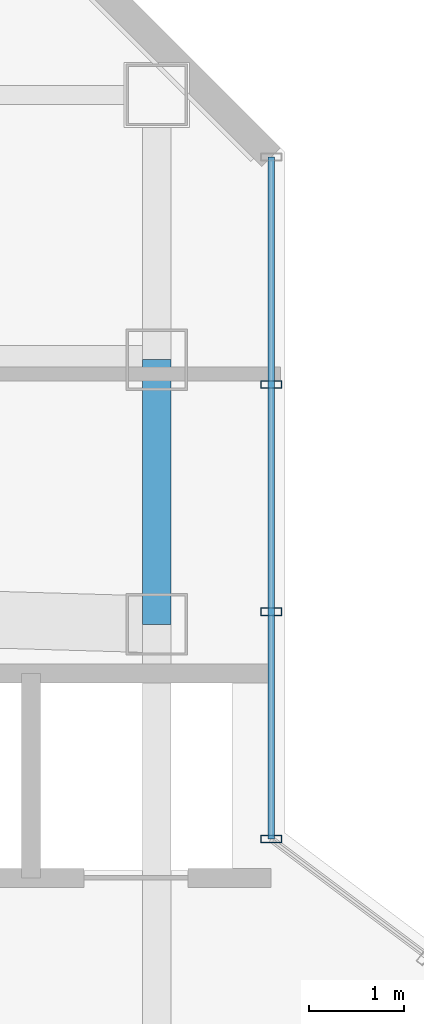
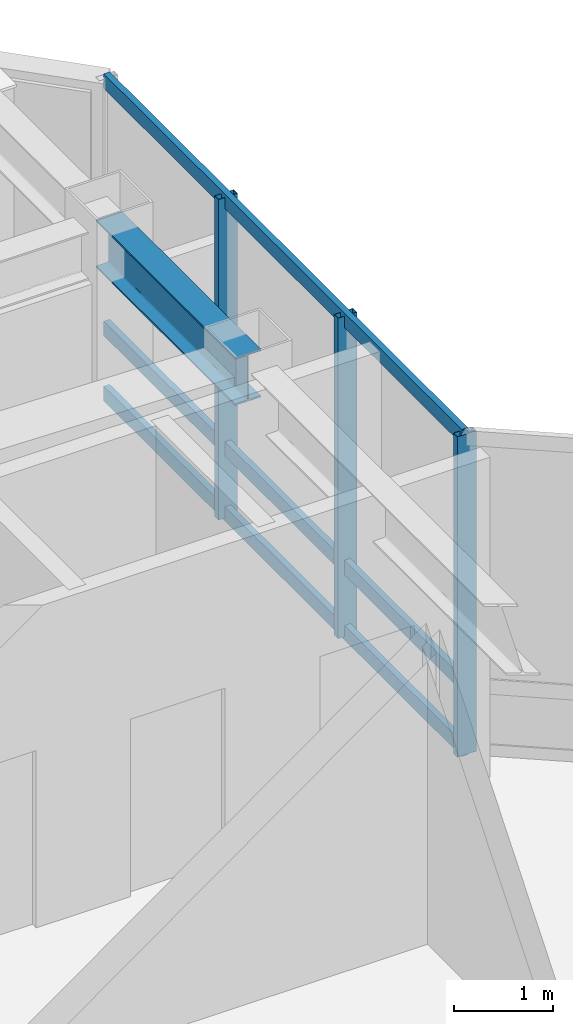
# One storey, part 12 of 22: 6 members, 1 beam, 1 element without a shape of its own.
"""IFC4 building model written with IfcOpenShell, lengths in metres."""

import ifcopenshell
import ifcopenshell.guid

model = None  # the IFC model being written
_history = None  # IfcOwnerHistory: only IFC2X3 demands one
_inside = {}  # id of a spatial element -> (the spatial element, [elements in it])
_under = {}  # id of a project, library or spatial element -> (it, [spatial elements below it])
_declared = {}  # id of a project -> (the project, [libraries it declares])
_typed = {}  # id of a type object -> (the type object, [elements of that type])
_made_of = {}  # id of a material, layer set ... -> (it, [elements and type objects made of it])


def new_model(schema):
    """Start an empty IFC model of exactly this schema.

    Asked for "IFC4X3", IfcOpenShell would pick the latest addendum, in which some entities
    have other attributes; the version numbers below select the first issue.
    IFC2X3 requires an IfcOwnerHistory on every rooted entity: one is made here for all.
    """
    global model, _history
    if schema == "IFC4X3":
        model = ifcopenshell.file(schema_version=(4, 3, 0, 0))
    else:
        model = ifcopenshell.file(schema=schema)
    _inside.clear()
    _under.clear()
    _declared.clear()
    _typed.clear()
    _made_of.clear()
    _history = None
    if model.schema == "IFC2X3":
        org = make("IfcOrganization", Name="unknown")
        user = make(
            "IfcPersonAndOrganization",
            ThePerson=make("IfcPerson", FamilyName="unknown"),
            TheOrganization=org,
        )
        app = make(
            "IfcApplication",
            ApplicationDeveloper=org,
            Version="unknown",
            ApplicationFullName="unknown",
            ApplicationIdentifier="unknown",
        )
        _history = make(
            "IfcOwnerHistory",
            OwningUser=user,
            OwningApplication=app,
            ChangeAction="ADDED",
            CreationDate=0,
        )
    return model


def make(cls, **values):
    """One entity of the class cls with the attributes given. An attribute that is None is left unset."""
    return model.create_entity(
        cls, **{name: value for name, value in values.items() if value is not None}
    )


def rooted(cls, **values):
    """An entity with a GlobalId (a new one), such as an element, a storey or a relation."""
    return make(cls, GlobalId=ifcopenshell.guid.new(), OwnerHistory=_history, **values)


def si_unit(unit_type, name, prefix=None):
    """IfcSIUnit, for example si_unit("LENGTHUNIT", "METRE", prefix="MILLI")."""
    return make("IfcSIUnit", UnitType=unit_type, Prefix=prefix, Name=name)


def assignment(units):
    """IfcUnitAssignment: the units of a project."""
    return None if units is None else make("IfcUnitAssignment", Units=units)


def point(xyz):
    """IfcCartesianPoint."""
    return None if xyz is None else make("IfcCartesianPoint", Coordinates=xyz)


def direction(xyz):
    """IfcDirection."""
    return None if xyz is None else make("IfcDirection", DirectionRatios=xyz)


def frame(location, z_axis=None, x_axis=None):
    """IfcAxis2Placement3D, a coordinate frame: its origin and axes. An axis left out is left unset."""
    return make(
        "IfcAxis2Placement3D",
        Location=point(location),
        Axis=direction(z_axis),
        RefDirection=direction(x_axis),
    )


def frame_2d(location, x_axis=None):
    """IfcAxis2Placement2D, a coordinate frame in the plane: its origin and x axis."""
    return make(
        "IfcAxis2Placement2D", Location=point(location), RefDirection=direction(x_axis)
    )


def origin():
    """The frame at (0, 0, 0) with its axes left unset."""
    return frame((0.0, 0.0, 0.0))


def origin_2d():
    """The frame at (0, 0) in the plane with its x axis left unset."""
    return frame_2d((0.0, 0.0))


def place(relative_to, where):
    """IfcLocalPlacement: puts the frame where relative to a parent placement (None: the world)."""
    return make(
        "IfcLocalPlacement", PlacementRelTo=relative_to, RelativePlacement=where
    )


def context(
    kind, dimensions, precision=None, world=None, true_north=None, identifier=None
):
    """IfcGeometricRepresentationContext, for example the 3D "Model" context."""
    return make(
        "IfcGeometricRepresentationContext",
        ContextIdentifier=identifier,
        ContextType=kind,
        CoordinateSpaceDimension=dimensions,
        Precision=precision,
        WorldCoordinateSystem=world,
        TrueNorth=true_north,
    )


def subcontext(parent, identifier, kind, view, scale=None):
    """IfcGeometricRepresentationSubContext, for example "Body" below "Model"."""
    return make(
        "IfcGeometricRepresentationSubContext",
        ContextIdentifier=identifier,
        ContextType=kind,
        ParentContext=parent,
        TargetScale=scale,
        TargetView=view,
    )


def project(units=None, contexts=None):
    """IfcProject with its units and contexts."""
    return rooted(
        "IfcProject",
        Name="project",
        RepresentationContexts=contexts,
        UnitsInContext=assignment(units),
    )


def spatial(cls, under=None, at=None, **own):
    """A site, building, storey or space (cls), placed at a placement, below another one or the project."""
    s = rooted(cls, ObjectPlacement=at, **own)
    if under is not None:
        _under.setdefault(under.id(), (under, []))[1].append(s)
    return s


def profile(cls, at=None, kind="AREA", **sizes):
    """A parametric profile (cls). Its sizes go by their IFC names, for example OverallWidth=200.0."""
    return make(cls, ProfileType=kind, Position=at, **sizes)


def hollow_rectangle(**sizes):
    """IfcRectangleHollowProfileDef."""
    return profile("IfcRectangleHollowProfileDef", **sizes)


def i_section(**sizes):
    """IfcIShapeProfileDef."""
    return profile("IfcIShapeProfileDef", **sizes)


def extrude(swept, where, along, depth):
    """IfcExtrudedAreaSolid: the profile swept, set in the frame where, extruded along a direction by depth."""
    return make(
        "IfcExtrudedAreaSolid",
        SweptArea=swept,
        Position=where,
        ExtrudedDirection=direction(along),
        Depth=depth,
    )


def shape(context_of_items, identifier, shape_type, items):
    """IfcShapeRepresentation: the items that make up one representation, for example the "Body"."""
    return make(
        "IfcShapeRepresentation",
        ContextOfItems=context_of_items,
        RepresentationIdentifier=identifier,
        RepresentationType=shape_type,
        Items=items,
    )


def material(Name=None, Category=None):
    """IfcMaterial."""
    return make("IfcMaterial", Name=Name, Category=Category)


def layer(
    of_material, thickness, ventilated=None, Name=None, Category=None, Priority=None
):
    """IfcMaterialLayer: one layer of a wall or slab, of a material (None: an air gap)."""
    return make(
        "IfcMaterialLayer",
        Material=of_material,
        LayerThickness=thickness,
        IsVentilated=ventilated,
        Name=Name,
        Category=Category,
        Priority=Priority,
    )


def layer_set(layers, Name=None):
    """IfcMaterialLayerSet."""
    return make("IfcMaterialLayerSet", MaterialLayers=layers, LayerSetName=Name)


def material_profile(
    of_material, cross_section, Name=None, Category=None, Priority=None
):
    """IfcMaterialProfile: a cross section and its material."""
    return make(
        "IfcMaterialProfile",
        Name=Name,
        Material=of_material,
        Profile=cross_section,
        Priority=Priority,
        Category=Category,
    )


def profile_set(profiles, Name=None, composite=None):
    """IfcMaterialProfileSet."""
    return make(
        "IfcMaterialProfileSet",
        Name=Name,
        MaterialProfiles=profiles,
        CompositeProfile=composite,
    )


def made_of(thing, what):
    """Note that an element or type object is made of a material, layer set ...; save() writes the relation."""
    if what is not None:
        _made_of.setdefault(what.id(), (what, []))[1].append(thing)
    return thing


def type_object(cls, material=None, **own):
    """A type object (cls), such as IfcWallType, which elements share."""
    return made_of(rooted(cls, **own), material)


def element(
    cls,
    number,
    at=None,
    inside=None,
    cuts=None,
    type_object=None,
    material=None,
    context=None,
    identifier="Body",
    shape_type=None,
    held_by="IfcProductDefinitionShape",
    body=None,
    shapes=None,
    **own,
):
    """One element of the class cls, such as IfcWall. Its Tag is "e" and its number.

    at: its placement. inside: the storey or other place that contains it. cuts: it is an
    opening in that element (IfcRelVoidsElement). A single representation is given by context,
    identifier, shape_type and body (its items); several are given by shapes. held_by: the class
    of the entity that holds the representations. save() writes the other relations.
    """
    e = rooted(cls, Tag="e%d" % number, ObjectPlacement=at, **own)
    if body is not None:
        shapes = [shape(context, identifier, shape_type, body)]
    if shapes is not None:
        e.Representation = make(held_by, Representations=shapes)
    if inside is not None:
        _inside.setdefault(inside.id(), (inside, []))[1].append(e)
    if cuts is not None:
        rooted(
            "IfcRelVoidsElement", RelatingBuildingElement=cuts, RelatedOpeningElement=e
        )
    if type_object is not None:
        _typed.setdefault(type_object.id(), (type_object, []))[1].append(e)
    return made_of(e, material)


def aggregate(whole, parts):
    """IfcRelAggregates: a whole, such as a stair, and the parts it consists of."""
    return rooted("IfcRelAggregates", RelatingObject=whole, RelatedObjects=parts)


def save(model, path):
    """Write the relations noted so far, then the file.

    IfcRelAggregates (storeys below a building ...), IfcRelContainedInSpatialStructure (elements
    in a storey), IfcRelDefinesByType, IfcRelAssociatesMaterial and IfcRelDeclares: one each for
    every whole, place, type object, material and project.
    """
    for whole, parts in _under.values():
        aggregate(whole, parts)
    for where, things in _inside.values():
        rooted(
            "IfcRelContainedInSpatialStructure",
            RelatedElements=things,
            RelatingStructure=where,
        )
    for kind, things in _typed.values():
        rooted("IfcRelDefinesByType", RelatedObjects=things, RelatingType=kind)
    for what, things in _made_of.values():
        rooted("IfcRelAssociatesMaterial", RelatedObjects=things, RelatingMaterial=what)
    for by, libraries in _declared.values():
        rooted("IfcRelDeclares", RelatingContext=by, RelatedDefinitions=libraries)
    model.write(path)


model = new_model("IFC4")

# Units and contexts
model_context = context("Model", 3, precision=1e-05, world=origin(), true_north=direction((0.0, 1.0)))
body_context = subcontext(model_context, "Body", "Model", "MODEL_VIEW")
ifc_project = project(units=[si_unit("LENGTHUNIT", "METRE"), si_unit("AREAUNIT", "SQUARE_METRE"), si_unit("VOLUMEUNIT", "CUBIC_METRE"), si_unit("PLANEANGLEUNIT", "RADIAN"), si_unit("MASSUNIT", "GRAM", prefix="KILO")], contexts=[model_context])

# Site, building, storey
site_placement = place(None, origin())
site = spatial("IfcSite", under=ifc_project, at=site_placement, CompositionType="ELEMENT")
building_placement = place(site_placement, origin())
building = spatial("IfcBuilding", under=site, at=building_placement, Name="Hatsunagi Terrace Concourse", CompositionType="ELEMENT")
storey_placement = place(building_placement, frame((0.0, 0.0, 261.75)))
storey = spatial("IfcBuildingStorey", under=building, at=storey_placement, Name="L69", CompositionType="ELEMENT", Elevation=261.75)

# Curtain wall, members
ifc_material_1 = material(Name="Anodised Aluminium Alloy 6063-T5", Category="aluminium")
ifc_layer = layer(ifc_material_1, 0.199951171875)
ifc_layer_set = layer_set([ifc_layer], Name="SkyLobbyAtrium_CW05")
curtain_wall_type = type_object("IfcCurtainWallType", Name="SkyLobbyAtrium_CW05", PredefinedType="NOTDEFINED", material=ifc_layer_set)
curtain_wall_placement = place(storey_placement, origin())
curtain_wall = element("IfcCurtainWall", 1, at=curtain_wall_placement, inside=storey, type_object=curtain_wall_type, Name="Unitised Curtain Wall CW-05 CW-L69-05", PredefinedType="NOTDEFINED")
ifc_material_2 = material(Name="Anodised Aluminium Alloy 6063-T5", Category="aluminium")
ifc_material_profile_1 = material_profile(ifc_material_2, hollow_rectangle(XDim=0.080078125, YDim=0.219970703125, WallThickness=0.0048828125, at=origin_2d()), Name="ALU-MUL-220x80x5")
ifc_profile_set_1 = profile_set([ifc_material_profile_1], Name="Anodised Aluminium Alloy 6063-T5")
member_type_1 = type_object("IfcMemberType", Name="CurtainWallMullion_Heavy_220x80", PredefinedType="MULLION", material=ifc_profile_set_1)
member_1_placement = place(storey_placement, frame((44.860107421875, 45.5380859375, 0.0), z_axis=(0.0, 0.0, 1.0), x_axis=(0.0, -1.0, 0.0)))
member_1 = element("IfcMember", 2, at=member_1_placement, type_object=member_type_1, Name="Curtain Wall Mullion MUL-01", PredefinedType="MULLION", context=body_context, shape_type="SweptSolid", body=[
    extrude(hollow_rectangle(XDim=0.080078125, YDim=0.219970703125, WallThickness=0.0048828125, at=origin_2d()), origin(), (0.0, 0.0, 1.0), 3.93994140625),
])
member_2_placement = place(storey_placement, frame((44.860107421875, 43.134033203125, 0.0), z_axis=(0.0, 0.0, 1.0), x_axis=(0.0, -1.0, 0.0)))
member_2 = element("IfcMember", 3, at=member_2_placement, type_object=member_type_1, Name="Curtain Wall Mullion MUL-01", PredefinedType="MULLION", context=body_context, shape_type="SweptSolid", body=[
    extrude(hollow_rectangle(XDim=0.080078125, YDim=0.219970703125, WallThickness=0.0048828125, at=origin_2d()), origin(), (0.0, 0.0, 1.0), 3.93994140625),
])
member_3_placement = place(storey_placement, frame((44.860107421875, 40.72998046875, 0.0), z_axis=(0.0, 0.0, 1.0), x_axis=(0.0, -1.0, 0.0)))
member_3 = element("IfcMember", 4, at=member_3_placement, type_object=member_type_1, Name="Curtain Wall Mullion MUL-01", PredefinedType="MULLION", context=body_context, shape_type="SweptSolid", body=[
    extrude(hollow_rectangle(XDim=0.080078125, YDim=0.219970703125, WallThickness=0.0048828125, at=origin_2d()), origin(), (0.0, 0.0, 1.0), 3.93994140625),
])
ifc_material_3 = material(Name="Anodised Aluminium Alloy 6063-T5", Category="aluminium")
ifc_material_profile_2 = material_profile(ifc_material_3, hollow_rectangle(XDim=0.070068359375, YDim=0.179931640625, WallThickness=0.00390625, at=origin_2d()), Name="ALU-TRN-180x70x4")
ifc_profile_set_2 = profile_set([ifc_material_profile_2], Name="Anodised Aluminium Alloy 6063-T5")
member_type_2 = type_object("IfcMemberType", Name="CurtainWallTransom_Heavy_180x70", PredefinedType="USERDEFINED", material=ifc_profile_set_2)
member_4_placement = place(storey_placement, frame((44.860107421875, 47.94189453125, 0.050048828125), z_axis=(0.0, -1.0, 0.0), x_axis=(1.0, 0.0, 0.0)))
member_4 = element("IfcMember", 5, at=member_4_placement, type_object=member_type_2, Name="Curtain Wall Transom TRN-01", ObjectType="TRANSOM", PredefinedType="USERDEFINED", context=body_context, shape_type="SweptSolid", body=[
    extrude(hollow_rectangle(XDim=0.070068359375, YDim=0.179931640625, WallThickness=0.00390625, at=origin_2d()), origin(), (0.0, 0.0, 1.0), 7.2119140625),
])
member_5_placement = place(storey_placement, frame((44.860107421875, 47.94189453125, 0.85009765625), z_axis=(0.0, -1.0, 0.0), x_axis=(1.0, 0.0, 0.0)))
member_5 = element("IfcMember", 6, at=member_5_placement, type_object=member_type_2, Name="Curtain Wall Transom TRN-01", ObjectType="TRANSOM", PredefinedType="USERDEFINED", context=body_context, shape_type="SweptSolid", body=[
    extrude(hollow_rectangle(XDim=0.070068359375, YDim=0.179931640625, WallThickness=0.00390625, at=origin_2d()), origin(), (0.0, 0.0, 1.0), 7.2119140625),
])
member_6_placement = place(storey_placement, frame((44.860107421875, 47.94189453125, 3.889892578125), z_axis=(0.0, -1.0, 0.0), x_axis=(1.0, 0.0, 0.0)))
member_6 = element("IfcMember", 7, at=member_6_placement, type_object=member_type_2, Name="Curtain Wall Transom TRN-01", ObjectType="TRANSOM", PredefinedType="USERDEFINED", context=body_context, shape_type="SweptSolid", body=[
    extrude(hollow_rectangle(XDim=0.070068359375, YDim=0.179931640625, WallThickness=0.00390625, at=origin_2d()), origin(), (0.0, 0.0, 1.0), 7.2119140625),
])
aggregate(curtain_wall, [member_1, member_2, member_3, member_4, member_5, member_6])

# Beam
ifc_material_4 = material(Name="Steel SN490B", Category="steel")
ifc_material_profile_3 = material_profile(ifc_material_4, i_section(OverallWidth=0.300048828125, OverallDepth=0.587890625, WebThickness=0.011962890625, FlangeThickness=0.02001953125, FilletRadius=0.01806640625, at=origin_2d()), Name="H-588x300x12x20")
ifc_profile_set_3 = profile_set([ifc_material_profile_3], Name="Steel SN490B")
beam_type = type_object("IfcBeamType", Name="OfficeHighGirder_H_588x300", PredefinedType="BEAM", material=ifc_profile_set_3)
beam_placement = place(storey_placement, frame((43.64990234375, 43.0, 3.656005859375), z_axis=(0.0, 1.0, 0.0), x_axis=(-1.0, 0.0, 0.0)))
element("IfcBeam", 8, at=beam_placement, inside=storey, type_object=beam_type, Name="Beam G-06 BM-L69-CN3", PredefinedType="BEAM", context=body_context, shape_type="SweptSolid", body=[
    extrude(i_section(OverallWidth=0.300048828125, OverallDepth=0.587890625, WebThickness=0.011962890625, FlangeThickness=0.02001953125, FilletRadius=0.01806640625, at=origin_2d()), origin(), (0.0, 0.0, 1.0), 2.800048828125),
])

save(model, "model.ifc")
